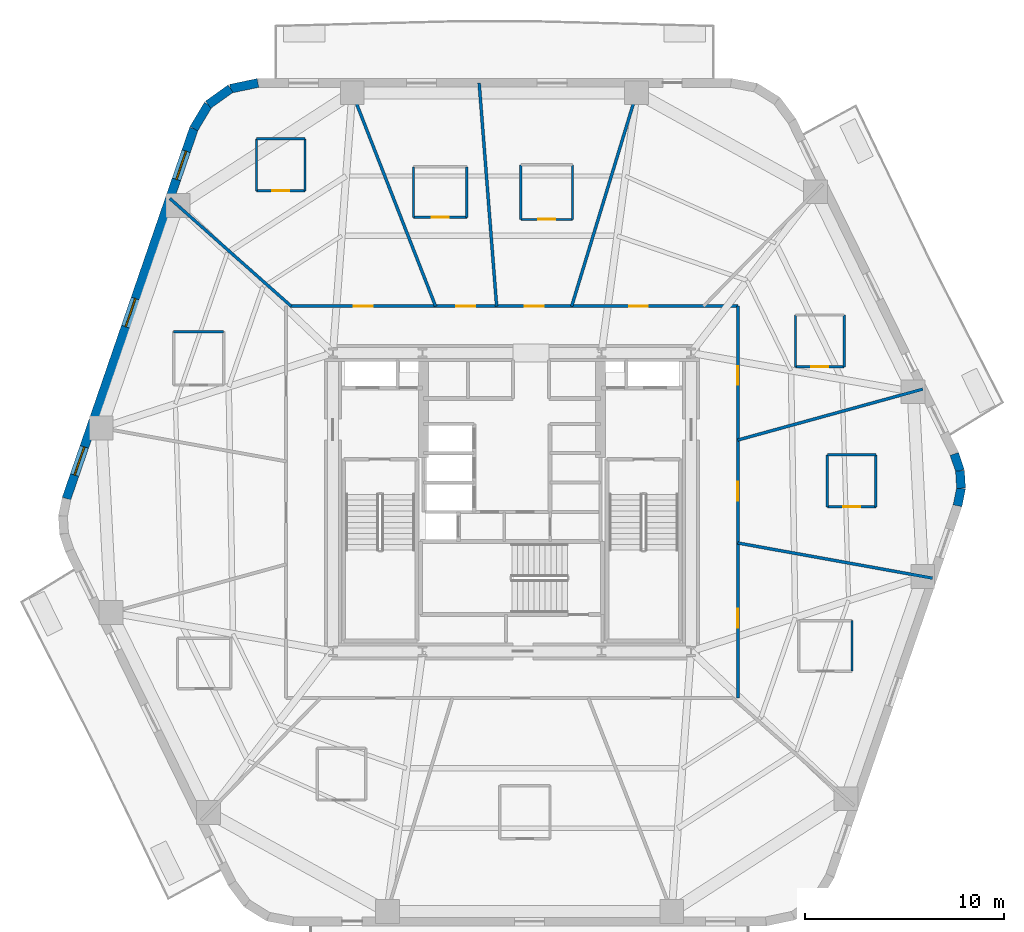
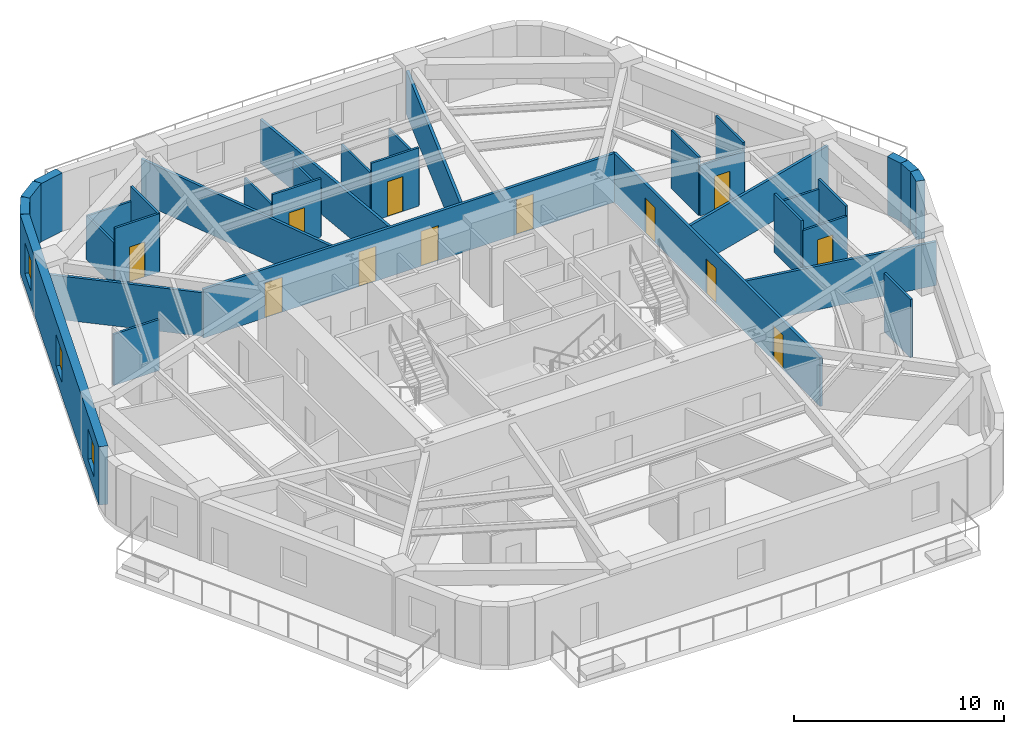
# One storey, part 5 of 9: 34 walls, 12 doors, 3 windows, 15 openings.
"""IFC4 building model written with IfcOpenShell, lengths in metres."""

from ifc_helpers import new_model, si_unit, direction, frame, frame_2d, origin, place, context, subcontext, project, spatial, rectangle, extrude, material, layer, layer_set, type_object, element, fill, save


model = new_model("IFC4")

# Units and contexts
model_context = context("Model", 3, precision=1e-05, world=origin(), true_north=direction((0.0, 1.0)))
body_context = subcontext(model_context, "Body", "Model", "MODEL_VIEW")
ifc_project = project(units=[si_unit("LENGTHUNIT", "METRE"), si_unit("AREAUNIT", "SQUARE_METRE"), si_unit("VOLUMEUNIT", "CUBIC_METRE"), si_unit("PLANEANGLEUNIT", "RADIAN"), si_unit("MASSUNIT", "GRAM", prefix="KILO")], contexts=[model_context])

# Site, building, storey
site_placement = place(None, origin())
site = spatial("IfcSite", under=ifc_project, at=site_placement, CompositionType="ELEMENT")
building_placement = place(site_placement, origin())
building = spatial("IfcBuilding", under=site, at=building_placement, Name="Kilnhurst Terrace Hotel", CompositionType="ELEMENT")
storey_placement = place(building_placement, frame((0.0, 0.0, 128.39990234375)))
storey = spatial("IfcBuildingStorey", under=building, at=storey_placement, Name="L31", CompositionType="ELEMENT", Elevation=128.39990234375)

# Walls
ifc_material_1 = material(Name="Precast concrete C40/50", Category="concrete")
ifc_layer_1 = layer(ifc_material_1, 0.449951171875, Name="Precast concrete C40/50")
ifc_layer_set_1 = layer_set([ifc_layer_1], Name="Precast concrete C40/50")
wall_type_1 = type_object("IfcWallType", Name="WL-BRK-450", PredefinedType="SOLIDWALL", material=ifc_layer_set_1)
wall_1_placement = place(storey_placement, frame((22.39697265625, -0.17919921875, 0.0), z_axis=(0.0, 0.0, 1.0), x_axis=(0.199313589404, 0.979935759669, 0.0)))
element("IfcWall", 1, at=wall_1_placement, inside=storey, type_object=wall_type_1, Name="L31 Rounded Corner Brick Wall C3.1", PredefinedType="SOLIDWALL", context=body_context, shape_type="SweptSolid", body=[
    extrude(rectangle(XDim=0.8955078125, YDim=0.449951171875, at=frame_2d((0.44775390625, 0.0))), origin(), (0.0, 0.0, 1.0), 3.400146484375),
])
wall_2_placement = place(storey_placement, frame((22.575439453125, 0.6982421875, 0.0), z_axis=(0.0, 0.0, 1.0), x_axis=(-0.060980441946, 0.998138961117, 0.0)))
element("IfcWall", 2, at=wall_2_placement, inside=storey, type_object=wall_type_1, Name="L31 Rounded Corner Brick Wall C3.2", PredefinedType="SOLIDWALL", context=body_context, shape_type="SweptSolid", body=[
    extrude(rectangle(XDim=0.880859375, YDim=0.449951171875, at=frame_2d((0.4404296875, 0.0))), origin(), (0.0, 0.0, 1.0), 3.400146484375),
])
wall_3_placement = place(storey_placement, frame((22.521728515625, 1.577392578125, 0.0), z_axis=(0.0, 0.0, 1.0), x_axis=(-0.317372694837, 0.948300887151, 0.0)))
element("IfcWall", 3, at=wall_3_placement, inside=storey, type_object=wall_type_1, Name="L31 Rounded Corner Brick Wall C3.3", PredefinedType="SOLIDWALL", context=body_context, shape_type="SweptSolid", body=[
    extrude(rectangle(XDim=0.8955078125, YDim=0.449951171875, at=frame_2d((0.44775390625, 0.0))), origin(), (0.0, 0.0, 1.0), 3.400146484375),
])
wall_4_placement = place(storey_placement, frame((-12.7705078125, 21.074951171875, 0.0), z_axis=(0.0, 0.0, 1.0), x_axis=(-0.97874281988, -0.205091424819, 0.0)))
element("IfcWall", 4, at=wall_4_placement, inside=storey, type_object=wall_type_1, Name="L31 Rounded Corner Brick Wall C5.1", PredefinedType="SOLIDWALL", context=body_context, shape_type="SweptSolid", body=[
    extrude(rectangle(XDim=1.40576171875, YDim=0.449951171875, at=frame_2d((0.702880859375, 0.0))), origin(), (0.0, 0.0, 1.0), 3.400146484375),
])
wall_5_placement = place(storey_placement, frame((-14.146484375, 20.78662109375, 0.0), z_axis=(0.0, 0.0, 1.0), x_axis=(-0.814162929117, -0.580636482536, 0.0)))
element("IfcWall", 5, at=wall_5_placement, inside=storey, type_object=wall_type_1, Name="L31 Rounded Corner Brick Wall C5.2", PredefinedType="SOLIDWALL", context=body_context, shape_type="SweptSolid", body=[
    extrude(rectangle(XDim=1.382080078125, YDim=0.449951171875, at=frame_2d((0.69091796875, 0.0))), origin(), (0.0, 0.0, 1.0), 3.400146484375),
])
wall_6_placement = place(storey_placement, frame((-15.271728515625, 19.984130859375, 0.0), z_axis=(0.0, 0.0, 1.0), x_axis=(-0.512579347361, -0.858639862025, 0.0)))
element("IfcWall", 6, at=wall_6_placement, inside=storey, type_object=wall_type_1, Name="L31 Rounded Corner Brick Wall C5.3", PredefinedType="SOLIDWALL", context=body_context, shape_type="SweptSolid", body=[
    extrude(rectangle(XDim=1.406005859375, YDim=0.449951171875, at=frame_2d((0.703125, 0.0))), origin(), (0.0, 0.0, 1.0), 3.400146484375),
])

# Wall, openings, windows
wall_7_placement = place(storey_placement, frame((-15.992431640625, 18.77685546875, 0.0), z_axis=(0.0, 0.0, 1.0), x_axis=(-0.325606988926, -0.945505202927, 0.0)))
wall_7 = element("IfcWall", 7, at=wall_7_placement, inside=storey, type_object=wall_type_1, Name="L31 Exterior Brick Facade Wall F5", PredefinedType="SOLIDWALL", context=body_context, shape_type="SweptSolid", body=[
    extrude(rectangle(XDim=19.66943359375, YDim=0.449951171875, at=frame_2d((9.834716796875, 0.0))), origin(), (0.0, 0.0, 1.0), 3.400146484375),
])
opening_1_placement = place(wall_7_placement, frame((1.197021484375, 0.0, 0.800048828125)))
opening_1 = element("IfcOpeningElement", 8, at=opening_1_placement, cuts=wall_7, Name="Opening W-02", PredefinedType="OPENING", context=body_context, shape_type="SweptSolid", body=[
    extrude(rectangle(XDim=1.5, YDim=1.800048828125, at=frame_2d((0.75, 0.89990234375))), frame((0.0, 0.23486328125, 0.0), z_axis=(0.0, -1.0, 0.0), x_axis=(1.0, 0.0, 0.0)), (0.0, 0.0, 1.0), 0.469970703125),
])
opening_2_placement = place(wall_7_placement, frame((9.030029296875, 0.0, 0.800048828125)))
opening_2 = element("IfcOpeningElement", 9, at=opening_2_placement, cuts=wall_7, Name="Opening W-02", PredefinedType="OPENING", context=body_context, shape_type="SweptSolid", body=[
    extrude(rectangle(XDim=1.5, YDim=1.800048828125, at=frame_2d((0.75, 0.89990234375))), frame((0.0, 0.23486328125, 0.0), z_axis=(0.0, -1.0, 0.0), x_axis=(1.0, 0.0, 0.0)), (0.0, 0.0, 1.0), 0.469970703125),
])
opening_3_placement = place(wall_7_placement, frame((16.91796875, 0.0, 0.800048828125)))
opening_3 = element("IfcOpeningElement", 10, at=opening_3_placement, cuts=wall_7, Name="Opening W-02", PredefinedType="OPENING", context=body_context, shape_type="SweptSolid", body=[
    extrude(rectangle(XDim=1.5, YDim=1.800048828125, at=frame_2d((0.75, 0.89990234375))), frame((0.0, 0.23486328125, 0.0), z_axis=(0.0, -1.0, 0.0), x_axis=(1.0, 0.0, 0.0)), (0.0, 0.0, 1.0), 0.469970703125),
])
ifc_material_2 = material(Name="Thermally Broken Bronze Aluminium Alloy 6063-T6 and Low-E Glass", Category="aluminium")
window_type = type_object("IfcWindowType", Name="WIN-1500X1800", PartitioningType="SINGLE_PANEL", PredefinedType="WINDOW", material=ifc_material_2)
window_1_placement = place(opening_1_placement, origin())
window_1 = element("IfcWindow", 11, at=window_1_placement, inside=storey, type_object=window_type, Name="L31 Deep-Set Masonry Window F5.1", OverallHeight=1.800048828125, OverallWidth=1.5, PartitioningType="SINGLE_PANEL", PredefinedType="WINDOW", context=body_context, shape_type="SweptSolid", body=[
    extrude(rectangle(XDim=1.5, YDim=1.800048828125, at=frame_2d((0.75, 0.89990234375))), frame((0.0, 0.030029296875, 0.0), z_axis=(0.0, -1.0, 0.0), x_axis=(1.0, 0.0, 0.0)), (0.0, 0.0, 1.0), 0.06005859375),
])
fill(opening_1, window_1)
window_2_placement = place(opening_2_placement, origin())
window_2 = element("IfcWindow", 12, at=window_2_placement, inside=storey, type_object=window_type, Name="L31 Deep-Set Masonry Window F5.2", OverallHeight=1.800048828125, OverallWidth=1.5, PartitioningType="SINGLE_PANEL", PredefinedType="WINDOW", context=body_context, shape_type="SweptSolid", body=[
    extrude(rectangle(XDim=1.5, YDim=1.800048828125, at=frame_2d((0.75, 0.89990234375))), frame((0.0, 0.030029296875, 0.0), z_axis=(0.0, -1.0, 0.0), x_axis=(1.0, 0.0, 0.0)), (0.0, 0.0, 1.0), 0.06005859375),
])
fill(opening_2, window_2)
window_3_placement = place(opening_3_placement, origin())
window_3 = element("IfcWindow", 13, at=window_3_placement, inside=storey, type_object=window_type, Name="L31 Deep-Set Masonry Window F5.3", OverallHeight=1.800048828125, OverallWidth=1.5, PartitioningType="SINGLE_PANEL", PredefinedType="WINDOW", context=body_context, shape_type="SweptSolid", body=[
    extrude(rectangle(XDim=1.5, YDim=1.800048828125, at=frame_2d((0.75, 0.89990234375))), frame((0.0, 0.030029296875, 0.0), z_axis=(0.0, -1.0, 0.0), x_axis=(1.0, 0.0, 0.0)), (0.0, 0.0, 1.0), 0.06005859375),
])
fill(opening_3, window_3)

# Wall, openings, doors
ifc_material_3 = material(Name="Acoustic Double-Gypsum Corridor Partition Assembly")
ifc_layer_2 = layer(ifc_material_3, 0.14990234375, Name="Acoustic Double-Gypsum Corridor Partition Assembly")
ifc_layer_set_2 = layer_set([ifc_layer_2], Name="Acoustic Double-Gypsum Corridor Partition Assembly")
wall_type_2 = type_object("IfcWallType", Name="WL-COR-150", PredefinedType="PARTITIONING", material=ifc_layer_set_2)
wall_8_placement = place(storey_placement, frame((-11.35009765625, 9.85009765625, 0.0), z_axis=(0.0, 0.0, 1.0), x_axis=(1.0, 0.0, 0.0)))
wall_8 = element("IfcWall", 14, at=wall_8_placement, inside=storey, type_object=wall_type_2, Name="L31 Interior Wall WL-L31-COR-02", PredefinedType="PARTITIONING", context=body_context, shape_type="SweptSolid", body=[
    extrude(rectangle(XDim=22.7001953125, YDim=0.14990234375, at=frame_2d((11.35009765625, 0.0))), origin(), (0.0, 0.0, 1.0), 2.840087890625),
])
opening_4_placement = place(wall_8_placement, frame((17.237060546875, 0.0, 0.0)))
opening_4 = element("IfcOpeningElement", 15, at=opening_4_placement, cuts=wall_8, Name="Opening D-60B", PredefinedType="OPENING", context=body_context, shape_type="SweptSolid", body=[
    extrude(rectangle(XDim=0.949951171875, YDim=2.030029296875, at=frame_2d((0.47509765625, 1.01513671875))), frame((0.0, 0.0849609375, 0.0), z_axis=(0.0, -1.0, 0.0), x_axis=(1.0, 0.0, 0.0)), (0.0, 0.0, 1.0), 0.169921875),
])
opening_5_placement = place(wall_8_placement, frame((11.993896484375, 0.0, 0.0)))
opening_5 = element("IfcOpeningElement", 16, at=opening_5_placement, cuts=wall_8, Name="Opening D-60B", PredefinedType="OPENING", context=body_context, shape_type="SweptSolid", body=[
    extrude(rectangle(XDim=0.949951171875, YDim=2.030029296875, at=frame_2d((0.47509765625, 1.01513671875))), frame((0.0, 0.0849609375, 0.0), z_axis=(0.0, -1.0, 0.0), x_axis=(1.0, 0.0, 0.0)), (0.0, 0.0, 1.0), 0.169921875),
])
opening_6_placement = place(wall_8_placement, frame((8.55908203125, 0.0, 0.0)))
opening_6 = element("IfcOpeningElement", 17, at=opening_6_placement, cuts=wall_8, Name="Opening D-60B", PredefinedType="OPENING", context=body_context, shape_type="SweptSolid", body=[
    extrude(rectangle(XDim=0.949951171875, YDim=2.030029296875, at=frame_2d((0.47509765625, 1.01513671875))), frame((0.0, 0.0849609375, 0.0), z_axis=(0.0, -1.0, 0.0), x_axis=(1.0, 0.0, 0.0)), (0.0, 0.0, 1.0), 0.169921875),
])
opening_7_placement = place(wall_8_placement, frame((3.39892578125, 0.0, 0.0)))
opening_7 = element("IfcOpeningElement", 18, at=opening_7_placement, cuts=wall_8, Name="Opening D-60B", PredefinedType="OPENING", context=body_context, shape_type="SweptSolid", body=[
    extrude(rectangle(XDim=0.949951171875, YDim=2.030029296875, at=frame_2d((0.47509765625, 1.01513671875))), frame((0.0, 0.0849609375, 0.0), z_axis=(0.0, -1.0, 0.0), x_axis=(1.0, 0.0, 0.0)), (0.0, 0.0, 1.0), 0.169921875),
])
ifc_material_4 = material(Name="Acoustic Walnut Veneer Solid-Core Fire Door")
door_type_1 = type_object("IfcDoorType", Name="DR-FD60-950", OperationType="NOTDEFINED", PredefinedType="DOOR", material=ifc_material_4)
door_1_placement = place(opening_4_placement, origin())
door_1 = element("IfcDoor", 19, at=door_1_placement, inside=storey, type_object=door_type_1, Name="L31 Wellness Hydrotherapy Room Door", OperationType="SINGLE_SWING_RIGHT", OverallHeight=2.030029296875, OverallWidth=0.949951171875, PredefinedType="DOOR", context=body_context, shape_type="SweptSolid", body=[
    extrude(rectangle(XDim=0.949951171875, YDim=2.030029296875, at=frame_2d((0.47509765625, 1.01513671875))), frame((0.0, 0.02490234375, 0.0), z_axis=(0.0, -1.0, 0.0), x_axis=(1.0, 0.0, 0.0)), (0.0, 0.0, 1.0), 0.050048828125),
])
fill(opening_4, door_1)
door_2_placement = place(opening_5_placement, origin())
door_2 = element("IfcDoor", 20, at=door_2_placement, inside=storey, type_object=door_type_1, Name="L31 Guest Room Entry Door 3", OperationType="SINGLE_SWING_LEFT", OverallHeight=2.030029296875, OverallWidth=0.949951171875, PredefinedType="DOOR", context=body_context, shape_type="SweptSolid", body=[
    extrude(rectangle(XDim=0.949951171875, YDim=2.030029296875, at=frame_2d((0.47509765625, 1.01513671875))), frame((0.0, 0.02490234375, 0.0), z_axis=(0.0, -1.0, 0.0), x_axis=(1.0, 0.0, 0.0)), (0.0, 0.0, 1.0), 0.050048828125),
])
fill(opening_5, door_2)
door_3_placement = place(opening_6_placement, origin())
door_3 = element("IfcDoor", 21, at=door_3_placement, inside=storey, type_object=door_type_1, Name="L31 Guest Room Entry Door 4", OperationType="SINGLE_SWING_RIGHT", OverallHeight=2.030029296875, OverallWidth=0.949951171875, PredefinedType="DOOR", context=body_context, shape_type="SweptSolid", body=[
    extrude(rectangle(XDim=0.949951171875, YDim=2.030029296875, at=frame_2d((0.47509765625, 1.01513671875))), frame((0.0, 0.02490234375, 0.0), z_axis=(0.0, -1.0, 0.0), x_axis=(1.0, 0.0, 0.0)), (0.0, 0.0, 1.0), 0.050048828125),
])
fill(opening_6, door_3)
door_4_placement = place(opening_7_placement, origin())
door_4 = element("IfcDoor", 22, at=door_4_placement, inside=storey, type_object=door_type_1, Name="L31 Executive Suite Entry Door 5", OperationType="SINGLE_SWING_LEFT", OverallHeight=2.030029296875, OverallWidth=0.949951171875, PredefinedType="DOOR", context=body_context, shape_type="SweptSolid", body=[
    extrude(rectangle(XDim=0.949951171875, YDim=2.030029296875, at=frame_2d((0.47509765625, 1.01513671875))), frame((0.0, 0.02490234375, 0.0), z_axis=(0.0, -1.0, 0.0), x_axis=(1.0, 0.0, 0.0)), (0.0, 0.0, 1.0), 0.050048828125),
])
fill(opening_7, door_4)

wall_9_placement = place(storey_placement, frame((11.35009765625, 9.85009765625, 0.0), z_axis=(0.0, 0.0, 1.0), x_axis=(0.0, -1.0, 0.0)))
wall_9 = element("IfcWall", 23, at=wall_9_placement, inside=storey, type_object=wall_type_2, Name="L31 Interior Wall WL-L31-COR-03", PredefinedType="PARTITIONING", context=body_context, shape_type="SweptSolid", body=[
    extrude(rectangle(XDim=19.7001953125, YDim=0.14990234375, at=frame_2d((9.85009765625, 0.0))), origin(), (0.0, 0.0, 1.0), 2.840087890625),
])
opening_8_placement = place(wall_9_placement, frame((3.008056640625, 0.0, 0.0)))
opening_8 = element("IfcOpeningElement", 24, at=opening_8_placement, cuts=wall_9, Name="Opening D-60B", PredefinedType="OPENING", context=body_context, shape_type="SweptSolid", body=[
    extrude(rectangle(XDim=0.949951171875, YDim=2.030029296875, at=frame_2d((0.47509765625, 1.01513671875))), frame((0.0, 0.0849609375, 0.0), z_axis=(0.0, -1.0, 0.0), x_axis=(1.0, 0.0, 0.0)), (0.0, 0.0, 1.0), 0.169921875),
])
opening_9_placement = place(wall_9_placement, frame((15.205078125, 0.0, 0.0)))
opening_9 = element("IfcOpeningElement", 25, at=opening_9_placement, cuts=wall_9, Name="Opening D-60B", PredefinedType="OPENING", context=body_context, shape_type="SweptSolid", body=[
    extrude(rectangle(XDim=0.949951171875, YDim=2.030029296875, at=frame_2d((0.47509765625, 1.01513671875))), frame((0.0, 0.0849609375, 0.0), z_axis=(0.0, -1.0, 0.0), x_axis=(1.0, 0.0, 0.0)), (0.0, 0.0, 1.0), 0.169921875),
])
opening_10_placement = place(wall_9_placement, frame((8.8359375, 0.0, 0.0)))
opening_10 = element("IfcOpeningElement", 26, at=opening_10_placement, cuts=wall_9, Name="Opening D-60B", PredefinedType="OPENING", context=body_context, shape_type="SweptSolid", body=[
    extrude(rectangle(XDim=0.949951171875, YDim=2.030029296875, at=frame_2d((0.47509765625, 1.01513671875))), frame((0.0, 0.0849609375, 0.0), z_axis=(0.0, -1.0, 0.0), x_axis=(1.0, 0.0, 0.0)), (0.0, 0.0, 1.0), 0.169921875),
])
door_5_placement = place(opening_8_placement, origin())
door_5 = element("IfcDoor", 27, at=door_5_placement, inside=storey, type_object=door_type_1, Name="L31 Executive Suite Entry Door 1", OperationType="SINGLE_SWING_LEFT", OverallHeight=2.030029296875, OverallWidth=0.949951171875, PredefinedType="DOOR", context=body_context, shape_type="SweptSolid", body=[
    extrude(rectangle(XDim=0.949951171875, YDim=2.030029296875, at=frame_2d((0.47509765625, 1.01513671875))), frame((0.0, 0.02490234375, 0.0), z_axis=(0.0, -1.0, 0.0), x_axis=(1.0, 0.0, 0.0)), (0.0, 0.0, 1.0), 0.050048828125),
])
fill(opening_8, door_5)
door_6_placement = place(opening_9_placement, origin())
door_6 = element("IfcDoor", 28, at=door_6_placement, inside=storey, type_object=door_type_1, Name="L31 Executive Suite Entry Door 12", OperationType="SINGLE_SWING_RIGHT", OverallHeight=2.030029296875, OverallWidth=0.949951171875, PredefinedType="DOOR", context=body_context, shape_type="SweptSolid", body=[
    extrude(rectangle(XDim=0.949951171875, YDim=2.030029296875, at=frame_2d((0.47509765625, 1.01513671875))), frame((0.0, 0.02490234375, 0.0), z_axis=(0.0, -1.0, 0.0), x_axis=(1.0, 0.0, 0.0)), (0.0, 0.0, 1.0), 0.050048828125),
])
fill(opening_9, door_6)
door_7_placement = place(opening_10_placement, origin())
door_7 = element("IfcDoor", 29, at=door_7_placement, inside=storey, type_object=door_type_1, Name="L31 Executive Suite Entry Door 13", OperationType="SINGLE_SWING_LEFT", OverallHeight=2.030029296875, OverallWidth=0.949951171875, PredefinedType="DOOR", context=body_context, shape_type="SweptSolid", body=[
    extrude(rectangle(XDim=0.949951171875, YDim=2.030029296875, at=frame_2d((0.47509765625, 1.01513671875))), frame((0.0, 0.02490234375, 0.0), z_axis=(0.0, -1.0, 0.0), x_axis=(1.0, 0.0, 0.0)), (0.0, 0.0, 1.0), 0.050048828125),
])
fill(opening_10, door_7)

# Walls
ifc_material_5 = material(Name="STC-58 Acoustic Twin-Frame Guestroom Demising Partition")
ifc_layer_3 = layer(ifc_material_5, 0.14990234375, Name="STC-58 Acoustic Twin-Frame Guestroom Demising Partition")
ifc_layer_set_3 = layer_set([ifc_layer_3], Name="STC-58 Acoustic Twin-Frame Guestroom Demising Partition")
wall_type_3 = type_object("IfcWallType", Name="WL-DEM-150", PredefinedType="PARTITIONING", material=ifc_layer_set_3)
wall_10_placement = place(storey_placement, frame((11.35009765625, 3.123291015625, 0.0), z_axis=(0.0, 0.0, 1.0), x_axis=(0.964151983214, 0.265350623261, 0.0)))
element("IfcWall", 30, at=wall_10_placement, inside=storey, type_object=wall_type_3, Name="L31 Interior Wall WL-L31-DEM-COL01-01-1", PredefinedType="PARTITIONING", context=body_context, shape_type="SweptSolid", body=[
    extrude(rectangle(XDim=9.64501953125, YDim=0.14990234375, at=frame_2d((4.822509765625, 0.0))), origin(), (0.0, 0.0, 1.0), 2.5400390625),
])
wall_11_placement = place(storey_placement, frame((3.0, 9.85009765625, 0.0), z_axis=(0.0, 0.0, 1.0), x_axis=(0.291352035382, 0.95661590593, 0.0)))
element("IfcWall", 31, at=wall_11_placement, inside=storey, type_object=wall_type_3, Name="L31 Interior Wall WL-L31-DEM-COL03-03-1", PredefinedType="PARTITIONING", context=body_context, shape_type="SweptSolid", body=[
    extrude(rectangle(XDim=11.73388671875, YDim=0.14990234375, at=frame_2d((5.866943359375, 0.0))), origin(), (0.0, 0.0, 1.0), 2.5400390625),
])
wall_12_placement = place(storey_placement, frame((-0.771728515625, 9.85009765625, 0.0), z_axis=(0.0, 0.0, 1.0), x_axis=(-0.078125747145, 0.996943512759, 0.0)))
element("IfcWall", 32, at=wall_12_placement, inside=storey, type_object=wall_type_3, Name="L31 Interior Wall WL-L31-DEM-MID03-04-1", PredefinedType="PARTITIONING", context=body_context, shape_type="SweptSolid", body=[
    extrude(rectangle(XDim=11.25927734375, YDim=0.14990234375, at=frame_2d((5.629638671875, 0.0))), origin(), (0.0, 0.0, 1.0), 2.5400390625),
])
wall_13_placement = place(storey_placement, frame((-3.84228515625, 9.85009765625, 0.0), z_axis=(0.0, 0.0, 1.0), x_axis=(-0.363432685593, 0.931620460833, 0.0)))
element("IfcWall", 33, at=wall_13_placement, inside=storey, type_object=wall_type_3, Name="L31 Interior Wall WL-L31-DEM-COL04-05-1", PredefinedType="PARTITIONING", context=body_context, shape_type="SweptSolid", body=[
    extrude(rectangle(XDim=12.048828125, YDim=0.14990234375, at=frame_2d((6.0244140625, 0.0))), origin(), (0.0, 0.0, 1.0), 2.5400390625),
])
wall_14_placement = place(storey_placement, frame((-11.097900390625, 9.85009765625, 0.0), z_axis=(0.0, 0.0, 1.0), x_axis=(-0.747904295103, 0.663806572253, 0.0)))
element("IfcWall", 34, at=wall_14_placement, inside=storey, type_object=wall_type_3, Name="L31 Interior Wall WL-L31-DEM-COL05-06-1", PredefinedType="PARTITIONING", context=body_context, shape_type="SweptSolid", body=[
    extrude(rectangle(XDim=8.160400390625, YDim=0.14990234375, at=frame_2d((4.080078125, 0.0))), origin(), (0.0, 0.0, 1.0), 2.5400390625),
])
wall_15_placement = place(storey_placement, frame((11.35009765625, -2.05078125, 0.0), z_axis=(0.0, 0.0, 1.0), x_axis=(0.984068313063, -0.177790762484, 0.0)))
element("IfcWall", 35, at=wall_15_placement, inside=storey, type_object=wall_type_3, Name="L31 Interior Wall WL-L31-DEM-COL12-13-1", PredefinedType="PARTITIONING", context=body_context, shape_type="SweptSolid", body=[
    extrude(rectangle(XDim=9.951416015625, YDim=0.14990234375, at=frame_2d((4.9755859375, 0.0))), origin(), (0.0, 0.0, 1.0), 2.5400390625),
])

# Wall, opening, door
ifc_material_6 = material(Name="120 mm Moisture-Resistant Tile-Backed Bathroom Partition")
ifc_layer_4 = layer(ifc_material_6, 0.1201171875, Name="120 mm Moisture-Resistant Tile-Backed Bathroom Partition")
ifc_layer_set_4 = layer_set([ifc_layer_4], Name="120 mm Moisture-Resistant Tile-Backed Bathroom Partition")
wall_type_4 = type_object("IfcWallType", Name="WL-PART-120", PredefinedType="PARTITIONING", material=ifc_layer_set_4)
wall_16_placement = place(storey_placement, frame((14.2548828125, 6.800048828125, 0.0), z_axis=(0.0, 0.0, 1.0), x_axis=(1.0, 0.0, 0.0)))
wall_16 = element("IfcWall", 36, at=wall_16_placement, inside=storey, type_object=wall_type_4, Name="L31 Interior Wall WL-L31-BTH-01-1", PredefinedType="PARTITIONING", context=body_context, shape_type="SweptSolid", body=[
    extrude(rectangle(XDim=2.440185546875, YDim=0.1201171875, at=frame_2d((1.22021484375, 0.0))), origin(), (0.0, 0.0, 1.0), 2.926513671875),
])
opening_11_placement = place(wall_16_placement, frame((0.794921875, 0.0, 0.0)))
opening_11 = element("IfcOpeningElement", 37, at=opening_11_placement, cuts=wall_16, Name="Opening D-08A", PredefinedType="OPENING", context=body_context, shape_type="SweptSolid", body=[
    extrude(rectangle(XDim=0.85009765625, YDim=2.030029296875, at=frame_2d((0.425048828125, 1.01513671875))), frame((0.0, 0.070068359375, 0.0), z_axis=(0.0, -1.0, 0.0), x_axis=(1.0, 0.0, 0.0)), (0.0, 0.0, 1.0), 0.14013671875),
])
ifc_material_7 = material(Name="Moisture-Resistant Lacquered En-suite Bathroom Door")
door_type_2 = type_object("IfcDoorType", Name="DR-INT-850", OperationType="NOTDEFINED", PredefinedType="DOOR", material=ifc_material_7)
door_8_placement = place(opening_11_placement, origin())
door_8 = element("IfcDoor", 38, at=door_8_placement, inside=storey, type_object=door_type_2, Name="L31 En-suite Bathroom Door 1", OperationType="SINGLE_SWING_RIGHT", OverallHeight=2.030029296875, OverallWidth=0.85009765625, PredefinedType="DOOR", context=body_context, shape_type="SweptSolid", body=[
    extrude(rectangle(XDim=0.85009765625, YDim=2.030029296875, at=frame_2d((0.425048828125, 1.01513671875))), frame((0.0, 0.02490234375, 0.0), z_axis=(0.0, -1.0, 0.0), x_axis=(1.0, 0.0, 0.0)), (0.0, 0.0, 1.0), 0.050048828125),
])
fill(opening_11, door_8)

# Walls
for number, where, z_axis, x_axis, name in (
    (39, (16.695068359375, 6.800048828125, 0.0), (0.0, 0.0, 1.0), (0.0, 1.0, 0.0), "L31 Interior Wall WL-L31-BTH-01-2"),
    (40, (14.2548828125, 9.409912109375, 0.0), (0.0, 0.0, 1.0), (0.0, -1.0, 0.0), "L31 Interior Wall WL-L31-BTH-01-4"),
):
    element("IfcWall", number, at=place(storey_placement, frame(where, z_axis=z_axis, x_axis=x_axis)), inside=storey, type_object=wall_type_4, Name=name, PredefinedType="PARTITIONING", context=body_context, shape_type="SweptSolid", body=[
        extrude(rectangle(XDim=2.60986328125, YDim=0.1201171875, at=frame_2d((1.304931640625, 0.0))), origin(), (0.0, 0.0, 1.0), 3.400146484375),
    ])

# Wall, opening, door
wall_17_placement = place(storey_placement, frame((0.44091796875, 14.2119140625, 0.0), z_axis=(0.0, 0.0, 1.0), x_axis=(1.0, 0.0, 0.0)))
wall_17 = element("IfcWall", 41, at=wall_17_placement, inside=storey, type_object=wall_type_4, Name="L31 Interior Wall WL-L31-BTH-03-1", PredefinedType="PARTITIONING", context=body_context, shape_type="SweptSolid", body=[
    extrude(rectangle(XDim=2.60009765625, YDim=0.1201171875, at=frame_2d((1.300048828125, 0.0))), origin(), (0.0, 0.0, 1.0), 3.400146484375),
])
opening_12_placement = place(wall_17_placement, frame((0.875, 0.0, 0.0)))
opening_12 = element("IfcOpeningElement", 42, at=opening_12_placement, cuts=wall_17, Name="Opening D-08A", PredefinedType="OPENING", context=body_context, shape_type="SweptSolid", body=[
    extrude(rectangle(XDim=0.85009765625, YDim=2.030029296875, at=frame_2d((0.425048828125, 1.01513671875))), frame((0.0, 0.070068359375, 0.0), z_axis=(0.0, -1.0, 0.0), x_axis=(1.0, 0.0, 0.0)), (0.0, 0.0, 1.0), 0.14013671875),
])
door_9_placement = place(opening_12_placement, origin())
door_9 = element("IfcDoor", 43, at=door_9_placement, inside=storey, type_object=door_type_2, Name="L31 En-suite Bathroom Door 3", OperationType="SINGLE_SWING_RIGHT", OverallHeight=2.030029296875, OverallWidth=0.85009765625, PredefinedType="DOOR", context=body_context, shape_type="SweptSolid", body=[
    extrude(rectangle(XDim=0.85009765625, YDim=2.030029296875, at=frame_2d((0.425048828125, 1.01513671875))), frame((0.0, 0.02490234375, 0.0), z_axis=(0.0, -1.0, 0.0), x_axis=(1.0, 0.0, 0.0)), (0.0, 0.0, 1.0), 0.050048828125),
])
fill(opening_12, door_9)

# Walls
for number, where, z_axis, x_axis, name in (
    (44, (3.041015625, 14.2119140625, 0.0), (0.0, 0.0, 1.0), (0.0, 1.0, 0.0), "L31 Interior Wall WL-L31-BTH-03-2"),
    (45, (0.44091796875, 16.9619140625, 0.0), (0.0, 0.0, 1.0), (0.0, -1.0, 0.0), "L31 Interior Wall WL-L31-BTH-03-4"),
):
    element("IfcWall", number, at=place(storey_placement, frame(where, z_axis=z_axis, x_axis=x_axis)), inside=storey, type_object=wall_type_4, Name=name, PredefinedType="PARTITIONING", context=body_context, shape_type="SweptSolid", body=[
        extrude(rectangle(XDim=2.75, YDim=0.1201171875, at=frame_2d((1.375, 0.0))), origin(), (0.0, 0.0, 1.0), 2.840576171875),
    ])

# Wall, opening, door
wall_18_placement = place(storey_placement, frame((-4.9541015625, 14.31689453125, 0.0), z_axis=(0.0, 0.0, 1.0), x_axis=(1.0, 0.0, 0.0)))
wall_18 = element("IfcWall", 46, at=wall_18_placement, inside=storey, type_object=wall_type_4, Name="L31 Interior Wall WL-L31-BTH-04-1", PredefinedType="PARTITIONING", context=body_context, shape_type="SweptSolid", body=[
    extrude(rectangle(XDim=2.68017578125, YDim=0.1201171875, at=frame_2d((1.340087890625, 0.0))), origin(), (0.0, 0.0, 1.0), 3.400146484375),
])
opening_13_placement = place(wall_18_placement, frame((0.9150390625, 0.0, 0.0)))
opening_13 = element("IfcOpeningElement", 47, at=opening_13_placement, cuts=wall_18, Name="Opening D-08A", PredefinedType="OPENING", context=body_context, shape_type="SweptSolid", body=[
    extrude(rectangle(XDim=0.85009765625, YDim=2.030029296875, at=frame_2d((0.425048828125, 1.01513671875))), frame((0.0, 0.070068359375, 0.0), z_axis=(0.0, -1.0, 0.0), x_axis=(1.0, 0.0, 0.0)), (0.0, 0.0, 1.0), 0.14013671875),
])
door_10_placement = place(opening_13_placement, origin())
door_10 = element("IfcDoor", 48, at=door_10_placement, inside=storey, type_object=door_type_2, Name="L31 En-suite Bathroom Door 4", OperationType="SINGLE_SWING_LEFT", OverallHeight=2.030029296875, OverallWidth=0.85009765625, PredefinedType="DOOR", context=body_context, shape_type="SweptSolid", body=[
    extrude(rectangle(XDim=0.85009765625, YDim=2.030029296875, at=frame_2d((0.425048828125, 1.01513671875))), frame((0.0, 0.02490234375, 0.0), z_axis=(0.0, -1.0, 0.0), x_axis=(1.0, 0.0, 0.0)), (0.0, 0.0, 1.0), 0.050048828125),
])
fill(opening_13, door_10)

# Walls
for number, where, z_axis, x_axis, name in (
    (49, (-2.27392578125, 14.31689453125, 0.0), (0.0, 0.0, 1.0), (0.0, 1.0, 0.0), "L31 Interior Wall WL-L31-BTH-04-2"),
    (50, (-4.9541015625, 16.85693359375, 0.0), (0.0, 0.0, 1.0), (0.0, -1.0, 0.0), "L31 Interior Wall WL-L31-BTH-04-4"),
):
    element("IfcWall", number, at=place(storey_placement, frame(where, z_axis=z_axis, x_axis=x_axis)), inside=storey, type_object=wall_type_4, Name=name, PredefinedType="PARTITIONING", context=body_context, shape_type="SweptSolid", body=[
        extrude(rectangle(XDim=2.5400390625, YDim=0.1201171875, at=frame_2d((1.27001953125, 0.0))), origin(), (0.0, 0.0, 1.0), 2.840576171875),
    ])

# Wall, opening, door
wall_19_placement = place(storey_placement, frame((-12.844970703125, 15.655029296875, 0.0), z_axis=(0.0, 0.0, 1.0), x_axis=(1.0, 0.0, 0.0)))
wall_19 = element("IfcWall", 51, at=wall_19_placement, inside=storey, type_object=wall_type_4, Name="L31 Interior Wall WL-L31-BTH-05-1", PredefinedType="PARTITIONING", context=body_context, shape_type="SweptSolid", body=[
    extrude(rectangle(XDim=2.43994140625, YDim=0.1201171875, at=frame_2d((1.219970703125, 0.0))), origin(), (0.0, 0.0, 1.0), 3.400146484375),
])
opening_14_placement = place(wall_19_placement, frame((0.794921875, 0.0, 0.0)))
opening_14 = element("IfcOpeningElement", 52, at=opening_14_placement, cuts=wall_19, Name="Opening D-08A", PredefinedType="OPENING", context=body_context, shape_type="SweptSolid", body=[
    extrude(rectangle(XDim=0.85009765625, YDim=2.030029296875, at=frame_2d((0.425048828125, 1.01513671875))), frame((0.0, 0.070068359375, 0.0), z_axis=(0.0, -1.0, 0.0), x_axis=(1.0, 0.0, 0.0)), (0.0, 0.0, 1.0), 0.14013671875),
])
door_11_placement = place(opening_14_placement, origin())
door_11 = element("IfcDoor", 53, at=door_11_placement, inside=storey, type_object=door_type_2, Name="L31 En-suite Bathroom Door 5", OperationType="SINGLE_SWING_RIGHT", OverallHeight=2.030029296875, OverallWidth=0.85009765625, PredefinedType="DOOR", context=body_context, shape_type="SweptSolid", body=[
    extrude(rectangle(XDim=0.85009765625, YDim=2.030029296875, at=frame_2d((0.425048828125, 1.01513671875))), frame((0.0, 0.02490234375, 0.0), z_axis=(0.0, -1.0, 0.0), x_axis=(1.0, 0.0, 0.0)), (0.0, 0.0, 1.0), 0.050048828125),
])
fill(opening_14, door_11)

# Walls
wall_20_placement = place(storey_placement, frame((-10.405029296875, 15.655029296875, 0.0), z_axis=(0.0, 0.0, 1.0), x_axis=(0.0, 1.0, 0.0)))
element("IfcWall", 54, at=wall_20_placement, inside=storey, type_object=wall_type_4, Name="L31 Interior Wall WL-L31-BTH-05-2", PredefinedType="PARTITIONING", context=body_context, shape_type="SweptSolid", body=[
    extrude(rectangle(XDim=2.60986328125, YDim=0.1201171875, at=frame_2d((1.304931640625, 0.0))), origin(), (0.0, 0.0, 1.0), 3.400146484375),
])
wall_21_placement = place(storey_placement, frame((-10.405029296875, 18.264892578125, 0.0), z_axis=(0.0, 0.0, 1.0), x_axis=(-1.0, 0.0, 0.0)))
element("IfcWall", 55, at=wall_21_placement, inside=storey, type_object=wall_type_4, Name="L31 Interior Wall WL-L31-BTH-05-3", PredefinedType="PARTITIONING", context=body_context, shape_type="SweptSolid", body=[
    extrude(rectangle(XDim=2.43994140625, YDim=0.1201171875, at=frame_2d((1.219970703125, 0.0))), origin(), (0.0, 0.0, 1.0), 2.5400390625),
])
wall_22_placement = place(storey_placement, frame((-12.844970703125, 18.264892578125, 0.0), z_axis=(0.0, 0.0, 1.0), x_axis=(0.0, -1.0, 0.0)))
element("IfcWall", 56, at=wall_22_placement, inside=storey, type_object=wall_type_4, Name="L31 Interior Wall WL-L31-BTH-05-4", PredefinedType="PARTITIONING", context=body_context, shape_type="SweptSolid", body=[
    extrude(rectangle(XDim=2.60986328125, YDim=0.1201171875, at=frame_2d((1.304931640625, 0.0))), origin(), (0.0, 0.0, 1.0), 2.5400390625),
])
wall_23_placement = place(storey_placement, frame((-14.493896484375, 8.570068359375, 0.0), z_axis=(0.0, 0.0, 1.0), x_axis=(-1.0, 0.0, 0.0)))
element("IfcWall", 57, at=wall_23_placement, inside=storey, type_object=wall_type_4, Name="L31 Interior Wall WL-L31-BTH-06-3", PredefinedType="PARTITIONING", context=body_context, shape_type="SweptSolid", body=[
    extrude(rectangle(XDim=2.52001953125, YDim=0.1201171875, at=frame_2d((1.260009765625, 0.0))), origin(), (0.0, 0.0, 1.0), 2.972412109375),
])
wall_24_placement = place(storey_placement, frame((17.093994140625, -8.5, 0.0), z_axis=(0.0, 0.0, 1.0), x_axis=(0.0, 1.0, 0.0)))
element("IfcWall", 58, at=wall_24_placement, inside=storey, type_object=wall_type_4, Name="L31 Interior Wall WL-L31-BTH-12-2", PredefinedType="PARTITIONING", context=body_context, shape_type="SweptSolid", body=[
    extrude(rectangle(XDim=2.5400390625, YDim=0.1201171875, at=frame_2d((1.27001953125, 0.0))), origin(), (0.0, 0.0, 1.0), 3.400146484375),
])

# Wall, opening, door
wall_25_placement = place(storey_placement, frame((15.85498046875, -0.23095703125, 0.0), z_axis=(0.0, 0.0, 1.0), x_axis=(1.0, 0.0, 0.0)))
wall_25 = element("IfcWall", 59, at=wall_25_placement, inside=storey, type_object=wall_type_4, Name="L31 Interior Wall WL-L31-BTH-13-1", PredefinedType="PARTITIONING", context=body_context, shape_type="SweptSolid", body=[
    extrude(rectangle(XDim=2.43994140625, YDim=0.1201171875, at=frame_2d((1.219970703125, 0.0))), origin(), (0.0, 0.0, 1.0), 2.840576171875),
])
opening_15_placement = place(wall_25_placement, frame((0.794921875, 0.0, 0.0)))
opening_15 = element("IfcOpeningElement", 60, at=opening_15_placement, cuts=wall_25, Name="Opening D-08A", PredefinedType="OPENING", context=body_context, shape_type="SweptSolid", body=[
    extrude(rectangle(XDim=0.85009765625, YDim=2.030029296875, at=frame_2d((0.425048828125, 1.01513671875))), frame((0.0, 0.070068359375, 0.0), z_axis=(0.0, -1.0, 0.0), x_axis=(1.0, 0.0, 0.0)), (0.0, 0.0, 1.0), 0.14013671875),
])
door_12_placement = place(opening_15_placement, origin())
door_12 = element("IfcDoor", 61, at=door_12_placement, inside=storey, type_object=door_type_2, Name="L31 En-suite Bathroom Door 13", OperationType="SINGLE_SWING_RIGHT", OverallHeight=2.030029296875, OverallWidth=0.85009765625, PredefinedType="DOOR", context=body_context, shape_type="SweptSolid", body=[
    extrude(rectangle(XDim=0.85009765625, YDim=2.030029296875, at=frame_2d((0.425048828125, 1.01513671875))), frame((0.0, 0.02490234375, 0.0), z_axis=(0.0, -1.0, 0.0), x_axis=(1.0, 0.0, 0.0)), (0.0, 0.0, 1.0), 0.050048828125),
])
fill(opening_15, door_12)

# Walls
wall_26_placement = place(storey_placement, frame((18.294921875, -0.23095703125, 0.0), z_axis=(0.0, 0.0, 1.0), x_axis=(0.0, 1.0, 0.0)))
element("IfcWall", 62, at=wall_26_placement, inside=storey, type_object=wall_type_4, Name="L31 Interior Wall WL-L31-BTH-13-2", PredefinedType="PARTITIONING", context=body_context, shape_type="SweptSolid", body=[
    extrude(rectangle(XDim=2.60986328125, YDim=0.1201171875, at=frame_2d((1.304931640625, 0.0))), origin(), (0.0, 0.0, 1.0), 3.400146484375),
])
wall_27_placement = place(storey_placement, frame((18.294921875, 2.37890625, 0.0), z_axis=(0.0, 0.0, 1.0), x_axis=(-1.0, 0.0, 0.0)))
element("IfcWall", 63, at=wall_27_placement, inside=storey, type_object=wall_type_4, Name="L31 Interior Wall WL-L31-BTH-13-3", PredefinedType="PARTITIONING", context=body_context, shape_type="SweptSolid", body=[
    extrude(rectangle(XDim=2.43994140625, YDim=0.1201171875, at=frame_2d((1.219970703125, 0.0))), origin(), (0.0, 0.0, 1.0), 2.840576171875),
])
wall_28_placement = place(storey_placement, frame((15.85498046875, 2.37890625, 0.0), z_axis=(0.0, 0.0, 1.0), x_axis=(0.0, -1.0, 0.0)))
element("IfcWall", 64, at=wall_28_placement, inside=storey, type_object=wall_type_4, Name="L31 Interior Wall WL-L31-BTH-13-4", PredefinedType="PARTITIONING", context=body_context, shape_type="SweptSolid", body=[
    extrude(rectangle(XDim=2.60986328125, YDim=0.1201171875, at=frame_2d((1.304931640625, 0.0))), origin(), (0.0, 0.0, 1.0), 3.400146484375),
])

save(model, "model.ifc")
